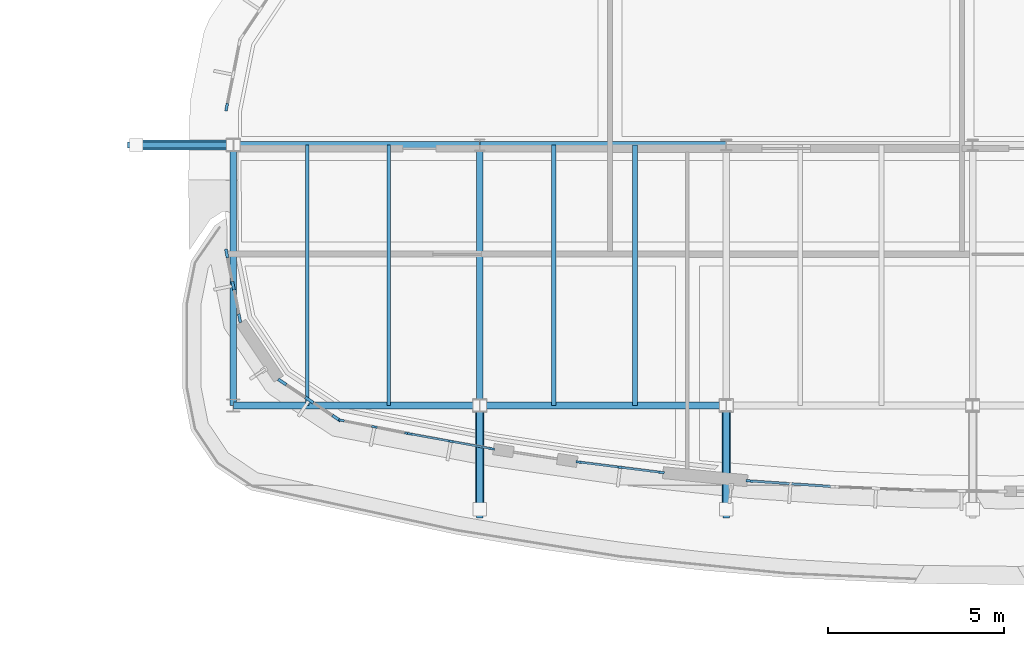
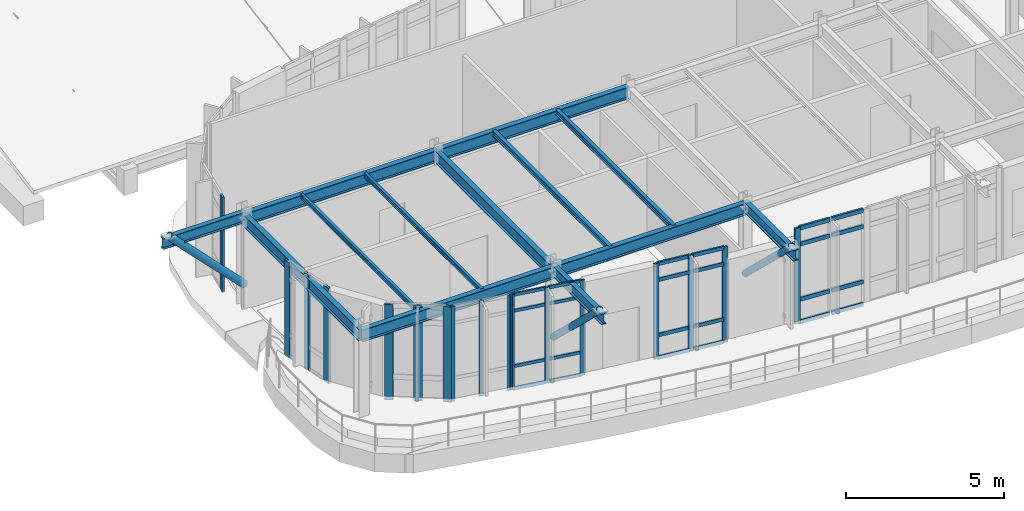
# One storey, part 29 of 105: 44 members, 13 beams, 7 elements without a shape of their own.
"""IFC4 building model written with IfcOpenShell, lengths in metres."""

from ifc_helpers import new_model, si_unit, direction, frame, origin, origin_2d, place, context, subcontext, project, spatial, rectangle, hollow_circle, i_section, extrude, material, material_profile, profile_set, type_object, element, aggregate, save


model = new_model("IFC4")

# Units and contexts
model_context = context("Model", 3, precision=1e-05, world=origin(), true_north=direction((0.0, 1.0)))
body_context = subcontext(model_context, "Body", "Model", "MODEL_VIEW")
ifc_project = project(units=[si_unit("LENGTHUNIT", "METRE"), si_unit("AREAUNIT", "SQUARE_METRE"), si_unit("VOLUMEUNIT", "CUBIC_METRE"), si_unit("PLANEANGLEUNIT", "RADIAN"), si_unit("MASSUNIT", "GRAM", prefix="KILO")], contexts=[model_context])

# Site, building, storey
site_placement = place(None, origin())
site = spatial("IfcSite", under=ifc_project, at=site_placement, CompositionType="ELEMENT")
building_placement = place(site_placement, origin())
building = spatial("IfcBuilding", under=site, at=building_placement, Name="Corveleigh Park Community Centre", CompositionType="ELEMENT")
storey_placement = place(building_placement, frame((0.0, 0.0, 8.699951171875)))
storey = spatial("IfcBuildingStorey", under=building, at=storey_placement, Name="L02", CompositionType="ELEMENT", Elevation=8.699951171875)

# Beams
ifc_material_1 = material(Name="Steel S355", Category="steel")
ifc_material_profile_1 = material_profile(ifc_material_1, i_section(OverallWidth=0.101318359375, OverallDepth=0.177734375, WebThickness=0.0048828125, FlangeThickness=0.0078125, at=origin_2d()), Name="UKB 178x102x19", Category="steel")
ifc_profile_set_1 = profile_set([ifc_material_profile_1], Name="Steel S355")
beam_type_1 = type_object("IfcBeamType", Name="BM-STL-UKB178x19", PredefinedType="JOIST", material=ifc_profile_set_1)
for number, where, z_axis, x_axis, name in (
    (1, (13.300048828125, 78.0048828125, 3.523193359375), (0.0, 1.0, 0.0), (-1.0, 0.0, 0.0), "Secondary floor joist"),
    (2, (15.610107421875, 78.0048828125, 3.523193359375), (0.0, 1.0, 0.0), (-1.0, 0.0, 0.0), "Secondary floor joist"),
):
    element("IfcBeam", number, at=place(storey_placement, frame(where, z_axis=z_axis, x_axis=x_axis)), inside=storey, type_object=beam_type_1, Name=name, PredefinedType="JOIST", context=body_context, shape_type="SweptSolid", body=[
        extrude(i_section(OverallWidth=0.101318359375, OverallDepth=0.177734375, WebThickness=0.0048828125, FlangeThickness=0.0078125, at=origin_2d()), origin(), (0.0, 0.0, 1.0), 7.39013671875),
    ])
ifc_material_profile_2 = material_profile(ifc_material_1, i_section(OverallWidth=0.13330078125, OverallDepth=0.203125, WebThickness=0.005615234375, FlangeThickness=0.0078125, at=origin_2d()), Name="UKB 203x133x25", Category="steel")
ifc_profile_set_2 = profile_set([ifc_material_profile_2], Name="Steel S355")
beam_type_2 = type_object("IfcBeamType", Name="BM-STL-UKB203x25", PredefinedType="JOIST", material=ifc_profile_set_2)
for number, where, z_axis, x_axis, name in (
    (3, (20.300048828125, 78.0048828125, 3.510498046875), (0.0, 1.0, 0.0), (-1.0, 0.0, 0.0), "Secondary floor joist"),
    (4, (22.610107421875, 78.0048828125, 3.510498046875), (0.0, 1.0, 0.0), (-1.0, 0.0, 0.0), "Secondary floor joist"),
):
    element("IfcBeam", number, at=place(storey_placement, frame(where, z_axis=z_axis, x_axis=x_axis)), inside=storey, type_object=beam_type_2, Name=name, PredefinedType="JOIST", context=body_context, shape_type="SweptSolid", body=[
        extrude(i_section(OverallWidth=0.13330078125, OverallDepth=0.203125, WebThickness=0.005615234375, FlangeThickness=0.0078125, at=origin_2d()), origin(), (0.0, 0.0, 1.0), 7.39013671875),
    ])
ifc_material_profile_3 = material_profile(ifc_material_1, i_section(OverallWidth=0.1787109375, OverallDepth=0.409423828125, WebThickness=0.0087890625, FlangeThickness=0.014404296875, at=origin_2d()), Name="UKB 406x178x67", Category="steel")
ifc_profile_set_3 = profile_set([ifc_material_profile_3], Name="Steel S355")
beam_type_3 = type_object("IfcBeamType", Name="BM-STL-UKB406x67", PredefinedType="BEAM", material=ifc_profile_set_3)
for number, where, z_axis, x_axis, name in (
    (5, (18.199951171875, 77.989990234375, 3.475341796875), (0.0, -1.0, 0.0), (1.0, 0.0, 0.0), "V2 South Pebble Overhang Strut 2 Outrigger"),
    (6, (25.199951171875, 77.989990234375, 3.475341796875), (0.0, -1.0, 0.0), (1.0, 0.0, 0.0), "V2 South Pebble Overhang Strut 3 Outrigger"),
):
    element("IfcBeam", number, at=place(storey_placement, frame(where, z_axis=z_axis, x_axis=x_axis)), inside=storey, type_object=beam_type_3, Name=name, PredefinedType="BEAM", context=body_context, shape_type="SweptSolid", body=[
        extrude(i_section(OverallWidth=0.1787109375, OverallDepth=0.409423828125, WebThickness=0.0087890625, FlangeThickness=0.014404296875, at=origin_2d()), origin(), (0.0, 0.0, 1.0), 3.18994140625),
    ])
beam_placement = place(storey_placement, frame((11.18994140625, 85.39990234375, 3.475341796875), z_axis=(-1.0, 0.0, 0.0), x_axis=(0.0, -1.0, 0.0)))
element("IfcBeam", 7, at=beam_placement, inside=storey, type_object=beam_type_3, Name="V2 West Pebble Overhang Strut 2 Outrigger", PredefinedType="BEAM", context=body_context, shape_type="SweptSolid", body=[
    extrude(i_section(OverallWidth=0.1787109375, OverallDepth=0.409423828125, WebThickness=0.0087890625, FlangeThickness=0.014404296875, at=origin_2d()), origin(), (0.0, 0.0, 1.0), 2.989990234375),
])
ifc_material_profile_4 = material_profile(ifc_material_1, i_section(OverallWidth=0.1904296875, OverallDepth=0.45703125, WebThickness=0.009033203125, FlangeThickness=0.014404296875, at=origin_2d()), Name="UKB 457x191x74", Category="steel")
ifc_profile_set_4 = profile_set([ifc_material_profile_4], Name="Steel S355")
beam_type_4 = type_object("IfcBeamType", Name="BM-STL-UKB457x74", PredefinedType="BEAM", material=ifc_profile_set_4)
for number, where, z_axis, x_axis, name in (
    (8, (11.199951171875, 78.0048828125, 3.383544921875), (0.0, 1.0, 0.0), (-1.0, 0.0, 0.0), "V2 Studio Girder Y"),
    (9, (18.199951171875, 78.0048828125, 3.383544921875), (0.0, 1.0, 0.0), (-1.0, 0.0, 0.0), "V2 Studio Girder Y"),
):
    element("IfcBeam", number, at=place(storey_placement, frame(where, z_axis=z_axis, x_axis=x_axis)), inside=storey, type_object=beam_type_4, Name=name, PredefinedType="BEAM", context=body_context, shape_type="SweptSolid", body=[
        extrude(i_section(OverallWidth=0.1904296875, OverallDepth=0.45703125, WebThickness=0.009033203125, FlangeThickness=0.014404296875, at=origin_2d()), origin(), (0.0, 0.0, 1.0), 7.39013671875),
    ])
ifc_material_profile_5 = material_profile(ifc_material_1, i_section(OverallWidth=0.19140625, OverallDepth=0.4599609375, WebThickness=0.010009765625, FlangeThickness=0.01611328125, at=origin_2d()), Name="UKB 457x191x82", Category="steel")
ifc_profile_set_5 = profile_set([ifc_material_profile_5], Name="Steel S355")
beam_type_5 = type_object("IfcBeamType", Name="BM-STL-UKB457x82", PredefinedType="BEAM", material=ifc_profile_set_5)
for number, where, z_axis, x_axis, name in (
    (10, (11.205078125, 78.0, 3.382080078125), (1.0, 0.0, 0.0), (0.0, 1.0, 0.0), "V2 Studio Girder X"),
    (11, (18.205078125, 78.0, 3.382080078125), (1.0, 0.0, 0.0), (0.0, 1.0, 0.0), "V2 Studio Girder X"),
    (12, (11.205078125, 85.39990234375, 3.382080078125), (1.0, 0.0, 0.0), (0.0, 1.0, 0.0), "V2 Studio Girder X"),
    (13, (18.205078125, 85.39990234375, 3.382080078125), (1.0, 0.0, 0.0), (0.0, 1.0, 0.0), "V2 Studio Girder X"),
):
    element("IfcBeam", number, at=place(storey_placement, frame(where, z_axis=z_axis, x_axis=x_axis)), inside=storey, type_object=beam_type_5, Name=name, PredefinedType="BEAM", context=body_context, shape_type="SweptSolid", body=[
        extrude(i_section(OverallWidth=0.19140625, OverallDepth=0.4599609375, WebThickness=0.010009765625, FlangeThickness=0.01611328125, at=origin_2d()), origin(), (0.0, 0.0, 1.0), 6.989990234375),
    ])

# Curtain wall, members
ifc_material_2 = material(Name="Anodised aluminium 6063-T6", Category="aluminium")
curtain_wall_type = type_object("IfcCurtainWallType", Name="CW-SYS-V2-HALL", PredefinedType="NOTDEFINED", material=ifc_material_2)
curtain_wall_1_placement = place(storey_placement, origin())
curtain_wall_1 = element("IfcCurtainWall", 14, at=curtain_wall_1_placement, inside=storey, type_object=curtain_wall_type, Name="V2 L02 Curtain Wall 301", PredefinedType="NOTDEFINED")
ifc_material_profile_6 = material_profile(ifc_material_2, rectangle(XDim=0.06005859375, YDim=0.159912109375, at=origin_2d()), Name="ALU-M60x160", Category="aluminium")
ifc_profile_set_6 = profile_set([ifc_material_profile_6], Name="Anodised aluminium 6063-T6")
member_type_1 = type_object("IfcMemberType", Name="CWM-60x160", PredefinedType="MULLION", material=ifc_profile_set_6)
member_1_placement = place(storey_placement, frame((18.53857421875, 76.7734375, 0.0), z_axis=(0.0, 0.0, 1.0), x_axis=(-0.178484557805, -0.983942713081, 0.0)))
member_1 = element("IfcMember", 15, at=member_1_placement, type_object=member_type_1, Name="CW04 mullion 1", PredefinedType="MULLION", context=body_context, shape_type="SweptSolid", body=[
    extrude(rectangle(XDim=0.06005859375, YDim=0.159912109375, at=origin_2d()), origin(), (0.0, 0.0, 1.0), 3.679931640625),
])
member_2_placement = place(storey_placement, frame((17.3798828125, 76.9833984375, 0.0), z_axis=(0.0, 0.0, 1.0), x_axis=(-0.178484557805, -0.983942713081, 0.0)))
member_2 = element("IfcMember", 16, at=member_2_placement, type_object=member_type_1, Name="CW04 mullion 2", PredefinedType="MULLION", context=body_context, shape_type="SweptSolid", body=[
    extrude(rectangle(XDim=0.06005859375, YDim=0.159912109375, at=origin_2d()), origin(), (0.0, 0.0, 1.0), 3.679931640625),
])
member_3_placement = place(storey_placement, frame((16.221435546875, 77.193603515625, 0.0), z_axis=(0.0, 0.0, 1.0), x_axis=(-0.178484557805, -0.983942713081, 0.0)))
member_3 = element("IfcMember", 17, at=member_3_placement, type_object=member_type_1, Name="CW04 mullion 3", PredefinedType="MULLION", context=body_context, shape_type="SweptSolid", body=[
    extrude(rectangle(XDim=0.06005859375, YDim=0.159912109375, at=origin_2d()), origin(), (0.0, 0.0, 1.0), 3.679931640625),
])

curtain_wall_2_placement = place(storey_placement, origin())
curtain_wall_2 = element("IfcCurtainWall", 18, at=curtain_wall_2_placement, inside=storey, type_object=curtain_wall_type, Name="V2 L02 Curtain Wall 331", PredefinedType="NOTDEFINED")
member_4_placement = place(storey_placement, frame((16.146484375, 77.207763671875, 0.0), z_axis=(0.0, 0.0, 1.0), x_axis=(-0.194944453986, -0.980814284082, 0.0)))
member_4 = element("IfcMember", 19, at=member_4_placement, type_object=member_type_1, Name="CW04 mullion 1", PredefinedType="MULLION", context=body_context, shape_type="SweptSolid", body=[
    extrude(rectangle(XDim=0.06005859375, YDim=0.159912109375, at=origin_2d()), origin(), (0.0, 0.0, 1.0), 3.679931640625),
])
member_5_placement = place(storey_placement, frame((15.2099609375, 77.39404296875, 0.0), z_axis=(0.0, 0.0, 1.0), x_axis=(-0.194944453986, -0.980814284082, 0.0)))
member_5 = element("IfcMember", 20, at=member_5_placement, type_object=member_type_1, Name="CW04 mullion 2", PredefinedType="MULLION", context=body_context, shape_type="SweptSolid", body=[
    extrude(rectangle(XDim=0.06005859375, YDim=0.159912109375, at=origin_2d()), origin(), (0.0, 0.0, 1.0), 3.679931640625),
])
member_6_placement = place(storey_placement, frame((14.2734375, 77.580078125, 0.0), z_axis=(0.0, 0.0, 1.0), x_axis=(-0.194944453986, -0.980814284082, 0.0)))
member_6 = element("IfcMember", 21, at=member_6_placement, type_object=member_type_1, Name="CW04 mullion 3", PredefinedType="MULLION", context=body_context, shape_type="SweptSolid", body=[
    extrude(rectangle(XDim=0.06005859375, YDim=0.159912109375, at=origin_2d()), origin(), (0.0, 0.0, 1.0), 3.679931640625),
])
aggregate(curtain_wall_2, [member_4, member_5, member_6])

curtain_wall_3_placement = place(storey_placement, origin())
curtain_wall_3 = element("IfcCurtainWall", 22, at=curtain_wall_3_placement, inside=storey, type_object=curtain_wall_type, Name="V2 L02 Curtain Wall 302", PredefinedType="NOTDEFINED")
ifc_material_profile_7 = material_profile(ifc_material_2, rectangle(XDim=0.06494140625, YDim=0.179931640625, at=origin_2d()), Name="ALU-M65x180", Category="aluminium")
ifc_profile_set_7 = profile_set([ifc_material_profile_7], Name="Anodised aluminium 6063-T6")
member_type_2 = type_object("IfcMemberType", Name="CWM-65x180", PredefinedType="MULLION", material=ifc_profile_set_7)
member_7_placement = place(storey_placement, frame((23.351806640625, 76.10107421875, 0.0), z_axis=(0.0, 0.0, 1.0), x_axis=(-0.124289683694, -0.99224597481, 0.0)))
member_7 = element("IfcMember", 23, at=member_7_placement, type_object=member_type_2, Name="CW04 mullion 1", PredefinedType="MULLION", context=body_context, shape_type="SweptSolid", body=[
    extrude(rectangle(XDim=0.06494140625, YDim=0.179931640625, at=origin_2d()), origin(), (0.0, 0.0, 1.0), 3.679931640625),
])
member_8_placement = place(storey_placement, frame((22.1865234375, 76.2470703125, 0.0), z_axis=(0.0, 0.0, 1.0), x_axis=(-0.124289683694, -0.99224597481, 0.0)))
member_8 = element("IfcMember", 24, at=member_8_placement, type_object=member_type_2, Name="CW04 mullion 2", PredefinedType="MULLION", context=body_context, shape_type="SweptSolid", body=[
    extrude(rectangle(XDim=0.06494140625, YDim=0.179931640625, at=origin_2d()), origin(), (0.0, 0.0, 1.0), 3.679931640625),
])
member_9_placement = place(storey_placement, frame((21.021240234375, 76.39306640625, 0.0), z_axis=(0.0, 0.0, 1.0), x_axis=(-0.124289683694, -0.99224597481, 0.0)))
member_9 = element("IfcMember", 25, at=member_9_placement, type_object=member_type_2, Name="CW04 mullion 3", PredefinedType="MULLION", context=body_context, shape_type="SweptSolid", body=[
    extrude(rectangle(XDim=0.06494140625, YDim=0.179931640625, at=origin_2d()), origin(), (0.0, 0.0, 1.0), 3.679931640625),
])

# Curtain wall, member
curtain_wall_4_placement = place(storey_placement, origin())
curtain_wall_4 = element("IfcCurtainWall", 26, at=curtain_wall_4_placement, inside=storey, type_object=curtain_wall_type, Name="V2 L02 Curtain Wall 303", PredefinedType="NOTDEFINED")
ifc_material_profile_8 = material_profile(ifc_material_2, rectangle(XDim=0.070068359375, YDim=0.199951171875, at=origin_2d()), Name="ALU-M70x200", Category="aluminium")
ifc_profile_set_8 = profile_set([ifc_material_profile_8], Name="Anodised aluminium 6063-T6")
member_type_3 = type_object("IfcMemberType", Name="CWM-70x200", PredefinedType="MULLION", material=ifc_profile_set_8)
member_10_placement = place(storey_placement, frame((25.85693359375, 75.858642578125, 0.0), z_axis=(0.0, 0.0, 1.0), x_axis=(-0.068773654486, -0.997632289197, 0.0)))
member_10 = element("IfcMember", 27, at=member_10_placement, type_object=member_type_3, Name="CW04 mullion 3", PredefinedType="MULLION", context=body_context, shape_type="SweptSolid", body=[
    extrude(rectangle(XDim=0.070068359375, YDim=0.199951171875, at=origin_2d()), origin(), (0.0, 0.0, 1.0), 3.679931640625),
])

curtain_wall_5_placement = place(storey_placement, origin())
curtain_wall_5 = element("IfcCurtainWall", 28, at=curtain_wall_5_placement, inside=storey, type_object=curtain_wall_type, Name="V2 L02 Curtain Wall 328", PredefinedType="NOTDEFINED")
ifc_material_profile_9 = material_profile(ifc_material_2, rectangle(XDim=0.074951171875, YDim=0.219970703125, at=origin_2d()), Name="ALU-M75x220", Category="aluminium")
ifc_profile_set_9 = profile_set([ifc_material_profile_9], Name="Anodised aluminium 6063-T6")
member_type_4 = type_object("IfcMemberType", Name="CWM-75x220", PredefinedType="MULLION", material=ifc_profile_set_9)
member_11_placement = place(storey_placement, frame((11.01220703125, 86.476806640625, 0.0), z_axis=(0.0, 0.0, 1.0), x_axis=(-0.980796650035, 0.195033154312, 0.0)))
member_11 = element("IfcMember", 29, at=member_11_placement, type_object=member_type_4, Name="CW04 mullion 1", PredefinedType="MULLION", context=body_context, shape_type="SweptSolid", body=[
    extrude(rectangle(XDim=0.074951171875, YDim=0.219970703125, at=origin_2d()), origin(), (0.0, 0.0, 1.0), 3.679931640625),
])
aggregate(curtain_wall_5, [member_11])

# Curtain wall, members
curtain_wall_6_placement = place(storey_placement, origin())
curtain_wall_6 = element("IfcCurtainWall", 30, at=curtain_wall_6_placement, inside=storey, type_object=curtain_wall_type, Name="V2 L02 Curtain Wall 329", PredefinedType="NOTDEFINED")
ifc_material_profile_10 = material_profile(ifc_material_2, rectangle(XDim=0.080078125, YDim=0.25, at=origin_2d()), Name="ALU-M80x250", Category="aluminium")
ifc_profile_set_10 = profile_set([ifc_material_profile_10], Name="Anodised aluminium 6063-T6")
member_type_5 = type_object("IfcMemberType", Name="CWM-80x250", PredefinedType="MULLION", material=ifc_profile_set_10)
member_12_placement = place(storey_placement, frame((11.378173828125, 80.483154296875, 0.0), z_axis=(0.0, 0.0, 1.0), x_axis=(-0.980796650035, -0.195033154312, 0.0)))
member_12 = element("IfcMember", 31, at=member_12_placement, type_object=member_type_5, Name="CW04 mullion 1", PredefinedType="MULLION", context=body_context, shape_type="SweptSolid", body=[
    extrude(rectangle(XDim=0.080078125, YDim=0.25, at=origin_2d()), origin(), (0.0, 0.0, 1.0), 3.679931640625),
])
member_13_placement = place(storey_placement, frame((11.195556640625, 81.402099609375, 0.0), z_axis=(0.0, 0.0, 1.0), x_axis=(-0.980796650035, -0.195033154312, 0.0)))
member_13 = element("IfcMember", 32, at=member_13_placement, type_object=member_type_5, Name="CW04 mullion 2", PredefinedType="MULLION", context=body_context, shape_type="SweptSolid", body=[
    extrude(rectangle(XDim=0.080078125, YDim=0.25, at=origin_2d()), origin(), (0.0, 0.0, 1.0), 3.679931640625),
])
member_14_placement = place(storey_placement, frame((11.0126953125, 82.32080078125, 0.0), z_axis=(0.0, 0.0, 1.0), x_axis=(-0.980796650035, -0.195033154312, 0.0)))
member_14 = element("IfcMember", 33, at=member_14_placement, type_object=member_type_5, Name="CW04 mullion 3", PredefinedType="MULLION", context=body_context, shape_type="SweptSolid", body=[
    extrude(rectangle(XDim=0.080078125, YDim=0.25, at=origin_2d()), origin(), (0.0, 0.0, 1.0), 3.679931640625),
])
aggregate(curtain_wall_6, [member_12, member_13, member_14])

curtain_wall_7_placement = place(storey_placement, origin())
curtain_wall_7 = element("IfcCurtainWall", 34, at=curtain_wall_7_placement, inside=storey, type_object=curtain_wall_type, Name="V2 L02 Curtain Wall 330", PredefinedType="NOTDEFINED")
ifc_material_profile_11 = material_profile(ifc_material_2, rectangle(XDim=0.0849609375, YDim=0.27490234375, at=origin_2d()), Name="ALU-M85x275", Category="aluminium")
ifc_profile_set_11 = profile_set([ifc_material_profile_11], Name="Anodised aluminium 6063-T6")
member_type_6 = type_object("IfcMemberType", Name="CWM-85x275", PredefinedType="MULLION", material=ifc_profile_set_11)
member_15_placement = place(storey_placement, frame((14.127685546875, 77.6435546875, 0.0), z_axis=(0.0, 0.0, 1.0), x_axis=(-0.555058272633, -0.831811465407, 0.0)))
member_15 = element("IfcMember", 35, at=member_15_placement, type_object=member_type_6, Name="CW04 mullion 1", PredefinedType="MULLION", context=body_context, shape_type="SweptSolid", body=[
    extrude(rectangle(XDim=0.0849609375, YDim=0.27490234375, at=origin_2d()), origin(), (0.0, 0.0, 1.0), 3.679931640625),
])
member_16_placement = place(storey_placement, frame((13.35888671875, 78.156494140625, 0.0), z_axis=(0.0, 0.0, 1.0), x_axis=(-0.555058272633, -0.831811465407, 0.0)))
member_16 = element("IfcMember", 36, at=member_16_placement, type_object=member_type_6, Name="CW04 mullion 2", PredefinedType="MULLION", context=body_context, shape_type="SweptSolid", body=[
    extrude(rectangle(XDim=0.0849609375, YDim=0.27490234375, at=origin_2d()), origin(), (0.0, 0.0, 1.0), 3.679931640625),
])
member_17_placement = place(storey_placement, frame((12.59033203125, 78.66943359375, 0.0), z_axis=(0.0, 0.0, 1.0), x_axis=(-0.555058272633, -0.831811465407, 0.0)))
member_17 = element("IfcMember", 37, at=member_17_placement, type_object=member_type_6, Name="CW04 mullion 3", PredefinedType="MULLION", context=body_context, shape_type="SweptSolid", body=[
    extrude(rectangle(XDim=0.0849609375, YDim=0.27490234375, at=origin_2d()), origin(), (0.0, 0.0, 1.0), 3.679931640625),
])
aggregate(curtain_wall_7, [member_15, member_16, member_17])

# Member
ifc_material_profile_12 = material_profile(ifc_material_2, rectangle(XDim=0.06005859375, YDim=0.1201171875, at=origin_2d()), Name="ALU-T60x120", Category="aluminium")
ifc_profile_set_12 = profile_set([ifc_material_profile_12], Name="Anodised aluminium 6063-T6")
member_type_7 = type_object("IfcMemberType", Name="CWT-60x120", PredefinedType="USERDEFINED", material=ifc_profile_set_12)
member_18_placement = place(storey_placement, frame((18.509033203125, 76.77880859375, 0.030029296875), z_axis=(-0.983981573567, 0.178270196277, 0.0), x_axis=(-0.178270196277, -0.983981573567, 0.0)))
member_18 = element("IfcMember", 38, at=member_18_placement, type_object=member_type_7, Name="CW04 transom 1.1", ObjectType="TRANSOM", PredefinedType="USERDEFINED", context=body_context, shape_type="SweptSolid", body=[
    extrude(rectangle(XDim=0.06005859375, YDim=0.1201171875, at=origin_2d()), origin(), (0.0, 0.0, 1.0), 1.117431640625),
])

member_19_placement = place(storey_placement, frame((18.509033203125, 76.77880859375, 0.900146484375), z_axis=(-0.983981573567, 0.178270196277, 0.0), x_axis=(-0.178270196277, -0.983981573567, 0.0)))
member_19 = element("IfcMember", 39, at=member_19_placement, type_object=member_type_7, Name="CW04 transom 1.2", ObjectType="TRANSOM", PredefinedType="USERDEFINED", context=body_context, shape_type="SweptSolid", body=[
    extrude(rectangle(XDim=0.06005859375, YDim=0.1201171875, at=origin_2d()), origin(), (0.0, 0.0, 1.0), 1.117431640625),
])

member_20_placement = place(storey_placement, frame((18.509033203125, 76.77880859375, 3.030029296875), z_axis=(-0.983981573567, 0.178270196277, 0.0), x_axis=(-0.178270196277, -0.983981573567, 0.0)))
member_20 = element("IfcMember", 40, at=member_20_placement, type_object=member_type_7, Name="CW04 transom 1.3", ObjectType="TRANSOM", PredefinedType="USERDEFINED", context=body_context, shape_type="SweptSolid", body=[
    extrude(rectangle(XDim=0.06005859375, YDim=0.1201171875, at=origin_2d()), origin(), (0.0, 0.0, 1.0), 1.117431640625),
])

member_21_placement = place(storey_placement, frame((18.509033203125, 76.77880859375, 3.650146484375), z_axis=(-0.983981573567, 0.178270196277, 0.0), x_axis=(-0.178270196277, -0.983981573567, 0.0)))
member_21 = element("IfcMember", 41, at=member_21_placement, type_object=member_type_7, Name="CW04 transom 1.4", ObjectType="TRANSOM", PredefinedType="USERDEFINED", context=body_context, shape_type="SweptSolid", body=[
    extrude(rectangle(XDim=0.06005859375, YDim=0.1201171875, at=origin_2d()), origin(), (0.0, 0.0, 1.0), 1.117431640625),
])

member_22_placement = place(storey_placement, frame((17.3505859375, 76.98876953125, 0.030029296875), z_axis=(-0.983943229786, 0.178481709311, 0.0), x_axis=(-0.178481709311, -0.983943229786, 0.0)))
member_22 = element("IfcMember", 42, at=member_22_placement, type_object=member_type_7, Name="CW04 transom 2.1", ObjectType="TRANSOM", PredefinedType="USERDEFINED", context=body_context, shape_type="SweptSolid", body=[
    extrude(rectangle(XDim=0.06005859375, YDim=0.1201171875, at=origin_2d()), origin(), (0.0, 0.0, 1.0), 1.117431640625),
])

member_23_placement = place(storey_placement, frame((17.3505859375, 76.98876953125, 0.900146484375), z_axis=(-0.983943229786, 0.178481709311, 0.0), x_axis=(-0.178481709311, -0.983943229786, 0.0)))
member_23 = element("IfcMember", 43, at=member_23_placement, type_object=member_type_7, Name="CW04 transom 2.2", ObjectType="TRANSOM", PredefinedType="USERDEFINED", context=body_context, shape_type="SweptSolid", body=[
    extrude(rectangle(XDim=0.06005859375, YDim=0.1201171875, at=origin_2d()), origin(), (0.0, 0.0, 1.0), 1.117431640625),
])

member_24_placement = place(storey_placement, frame((17.3505859375, 76.98876953125, 3.030029296875), z_axis=(-0.983943229786, 0.178481709311, 0.0), x_axis=(-0.178481709311, -0.983943229786, 0.0)))
member_24 = element("IfcMember", 44, at=member_24_placement, type_object=member_type_7, Name="CW04 transom 2.3", ObjectType="TRANSOM", PredefinedType="USERDEFINED", context=body_context, shape_type="SweptSolid", body=[
    extrude(rectangle(XDim=0.06005859375, YDim=0.1201171875, at=origin_2d()), origin(), (0.0, 0.0, 1.0), 1.117431640625),
])

member_25_placement = place(storey_placement, frame((17.3505859375, 76.98876953125, 3.650146484375), z_axis=(-0.983943229786, 0.178481709311, 0.0), x_axis=(-0.178481709311, -0.983943229786, 0.0)))
member_25 = element("IfcMember", 45, at=member_25_placement, type_object=member_type_7, Name="CW04 transom 2.4", ObjectType="TRANSOM", PredefinedType="USERDEFINED", context=body_context, shape_type="SweptSolid", body=[
    extrude(rectangle(XDim=0.06005859375, YDim=0.1201171875, at=origin_2d()), origin(), (0.0, 0.0, 1.0), 1.117431640625),
])

aggregate(curtain_wall_1, [member_1, member_2, member_3, member_18, member_19, member_20, member_21, member_22, member_23, member_24, member_25])

ifc_material_profile_13 = material_profile(ifc_material_2, rectangle(XDim=0.06494140625, YDim=0.139892578125, at=origin_2d()), Name="ALU-T65x140", Category="aluminium")
ifc_profile_set_13 = profile_set([ifc_material_profile_13], Name="Anodised aluminium 6063-T6")
member_type_8 = type_object("IfcMemberType", Name="CWT-65x140", PredefinedType="USERDEFINED", material=ifc_profile_set_13)
member_26_placement = place(storey_placement, frame((23.319580078125, 76.10498046875, 0.032470703125), z_axis=(-0.992240591439, 0.124332653396, 0.0), x_axis=(-0.124332653396, -0.992240591439, 0.0)))
member_26 = element("IfcMember", 46, at=member_26_placement, type_object=member_type_8, Name="CW04 transom 1.1", ObjectType="TRANSOM", PredefinedType="USERDEFINED", context=body_context, shape_type="SweptSolid", body=[
    extrude(rectangle(XDim=0.06494140625, YDim=0.139892578125, at=origin_2d()), origin(), (0.0, 0.0, 1.0), 1.109375),
])

member_27_placement = place(storey_placement, frame((23.319580078125, 76.10498046875, 0.900146484375), z_axis=(-0.992240591439, 0.124332653396, 0.0), x_axis=(-0.124332653396, -0.992240591439, 0.0)))
member_27 = element("IfcMember", 47, at=member_27_placement, type_object=member_type_8, Name="CW04 transom 1.2", ObjectType="TRANSOM", PredefinedType="USERDEFINED", context=body_context, shape_type="SweptSolid", body=[
    extrude(rectangle(XDim=0.06494140625, YDim=0.139892578125, at=origin_2d()), origin(), (0.0, 0.0, 1.0), 1.109375),
])

member_28_placement = place(storey_placement, frame((23.319580078125, 76.10498046875, 3.030029296875), z_axis=(-0.992240591439, 0.124332653396, 0.0), x_axis=(-0.124332653396, -0.992240591439, 0.0)))
member_28 = element("IfcMember", 48, at=member_28_placement, type_object=member_type_8, Name="CW04 transom 1.3", ObjectType="TRANSOM", PredefinedType="USERDEFINED", context=body_context, shape_type="SweptSolid", body=[
    extrude(rectangle(XDim=0.06494140625, YDim=0.139892578125, at=origin_2d()), origin(), (0.0, 0.0, 1.0), 1.109375),
])

member_29_placement = place(storey_placement, frame((23.319580078125, 76.10498046875, 3.6474609375), z_axis=(-0.992240591439, 0.124332653396, 0.0), x_axis=(-0.124332653396, -0.992240591439, 0.0)))
member_29 = element("IfcMember", 49, at=member_29_placement, type_object=member_type_8, Name="CW04 transom 1.4", ObjectType="TRANSOM", PredefinedType="USERDEFINED", context=body_context, shape_type="SweptSolid", body=[
    extrude(rectangle(XDim=0.06494140625, YDim=0.139892578125, at=origin_2d()), origin(), (0.0, 0.0, 1.0), 1.109375),
])

member_30_placement = place(storey_placement, frame((22.154296875, 76.2509765625, 0.032470703125), z_axis=(-0.992240591439, 0.124332653396, 0.0), x_axis=(-0.124332653396, -0.992240591439, 0.0)))
member_30 = element("IfcMember", 50, at=member_30_placement, type_object=member_type_8, Name="CW04 transom 2.1", ObjectType="TRANSOM", PredefinedType="USERDEFINED", context=body_context, shape_type="SweptSolid", body=[
    extrude(rectangle(XDim=0.06494140625, YDim=0.139892578125, at=origin_2d()), origin(), (0.0, 0.0, 1.0), 1.109375),
])

member_31_placement = place(storey_placement, frame((22.154296875, 76.2509765625, 0.900146484375), z_axis=(-0.992240591439, 0.124332653396, 0.0), x_axis=(-0.124332653396, -0.992240591439, 0.0)))
member_31 = element("IfcMember", 51, at=member_31_placement, type_object=member_type_8, Name="CW04 transom 2.2", ObjectType="TRANSOM", PredefinedType="USERDEFINED", context=body_context, shape_type="SweptSolid", body=[
    extrude(rectangle(XDim=0.06494140625, YDim=0.139892578125, at=origin_2d()), origin(), (0.0, 0.0, 1.0), 1.109375),
])

member_32_placement = place(storey_placement, frame((22.154296875, 76.2509765625, 3.030029296875), z_axis=(-0.992240591439, 0.124332653396, 0.0), x_axis=(-0.124332653396, -0.992240591439, 0.0)))
member_32 = element("IfcMember", 52, at=member_32_placement, type_object=member_type_8, Name="CW04 transom 2.3", ObjectType="TRANSOM", PredefinedType="USERDEFINED", context=body_context, shape_type="SweptSolid", body=[
    extrude(rectangle(XDim=0.06494140625, YDim=0.139892578125, at=origin_2d()), origin(), (0.0, 0.0, 1.0), 1.109375),
])

member_33_placement = place(storey_placement, frame((22.154296875, 76.2509765625, 3.6474609375), z_axis=(-0.992240591439, 0.124332653396, 0.0), x_axis=(-0.124332653396, -0.992240591439, 0.0)))
member_33 = element("IfcMember", 53, at=member_33_placement, type_object=member_type_8, Name="CW04 transom 2.4", ObjectType="TRANSOM", PredefinedType="USERDEFINED", context=body_context, shape_type="SweptSolid", body=[
    extrude(rectangle(XDim=0.06494140625, YDim=0.139892578125, at=origin_2d()), origin(), (0.0, 0.0, 1.0), 1.109375),
])

aggregate(curtain_wall_3, [member_7, member_8, member_9, member_26, member_27, member_28, member_29, member_30, member_31, member_32, member_33])

ifc_material_profile_14 = material_profile(ifc_material_2, rectangle(XDim=0.070068359375, YDim=0.155029296875, at=origin_2d()), Name="ALU-T70x155", Category="aluminium")
ifc_profile_set_14 = profile_set([ifc_material_profile_14], Name="Anodised aluminium 6063-T6")
member_type_9 = type_object("IfcMemberType", Name="CWT-70x155", PredefinedType="USERDEFINED", material=ifc_profile_set_14)
member_34_placement = place(storey_placement, frame((28.16015625, 75.69970703125, 0.03515625), z_axis=(-0.997622454609, 0.0689161669, 0.0), x_axis=(-0.0689161669, -0.997622454609, 0.0)))
member_34 = element("IfcMember", 54, at=member_34_placement, type_object=member_type_9, Name="CW04 transom 1.1", ObjectType="TRANSOM", PredefinedType="USERDEFINED", context=body_context, shape_type="SweptSolid", body=[
    extrude(rectangle(XDim=0.070068359375, YDim=0.155029296875, at=origin_2d()), origin(), (0.0, 0.0, 1.0), 1.101806640625),
])

member_35_placement = place(storey_placement, frame((28.16015625, 75.69970703125, 0.900146484375), z_axis=(-0.997622454609, 0.0689161669, 0.0), x_axis=(-0.0689161669, -0.997622454609, 0.0)))
member_35 = element("IfcMember", 55, at=member_35_placement, type_object=member_type_9, Name="CW04 transom 1.2", ObjectType="TRANSOM", PredefinedType="USERDEFINED", context=body_context, shape_type="SweptSolid", body=[
    extrude(rectangle(XDim=0.070068359375, YDim=0.155029296875, at=origin_2d()), origin(), (0.0, 0.0, 1.0), 1.101806640625),
])

member_36_placement = place(storey_placement, frame((28.16015625, 75.69970703125, 3.030029296875), z_axis=(-0.997622454609, 0.0689161669, 0.0), x_axis=(-0.0689161669, -0.997622454609, 0.0)))
member_36 = element("IfcMember", 56, at=member_36_placement, type_object=member_type_9, Name="CW04 transom 1.3", ObjectType="TRANSOM", PredefinedType="USERDEFINED", context=body_context, shape_type="SweptSolid", body=[
    extrude(rectangle(XDim=0.070068359375, YDim=0.155029296875, at=origin_2d()), origin(), (0.0, 0.0, 1.0), 1.101806640625),
])

member_37_placement = place(storey_placement, frame((28.16015625, 75.69970703125, 3.64501953125), z_axis=(-0.997622454609, 0.0689161669, 0.0), x_axis=(-0.0689161669, -0.997622454609, 0.0)))
member_37 = element("IfcMember", 57, at=member_37_placement, type_object=member_type_9, Name="CW04 transom 1.4", ObjectType="TRANSOM", PredefinedType="USERDEFINED", context=body_context, shape_type="SweptSolid", body=[
    extrude(rectangle(XDim=0.070068359375, YDim=0.155029296875, at=origin_2d()), origin(), (0.0, 0.0, 1.0), 1.101806640625),
])

member_38_placement = place(storey_placement, frame((26.990966796875, 75.780517578125, 0.03515625), z_axis=(-0.997637665659, 0.068695618915, 0.0), x_axis=(-0.068695618915, -0.997637665659, 0.0)))
member_38 = element("IfcMember", 58, at=member_38_placement, type_object=member_type_9, Name="CW04 transom 2.1", ObjectType="TRANSOM", PredefinedType="USERDEFINED", context=body_context, shape_type="SweptSolid", body=[
    extrude(rectangle(XDim=0.070068359375, YDim=0.155029296875, at=origin_2d()), origin(), (0.0, 0.0, 1.0), 1.101806640625),
])

member_39_placement = place(storey_placement, frame((26.990966796875, 75.780517578125, 0.900146484375), z_axis=(-0.997637665659, 0.068695618915, 0.0), x_axis=(-0.068695618915, -0.997637665659, 0.0)))
member_39 = element("IfcMember", 59, at=member_39_placement, type_object=member_type_9, Name="CW04 transom 2.2", ObjectType="TRANSOM", PredefinedType="USERDEFINED", context=body_context, shape_type="SweptSolid", body=[
    extrude(rectangle(XDim=0.070068359375, YDim=0.155029296875, at=origin_2d()), origin(), (0.0, 0.0, 1.0), 1.101806640625),
])

member_40_placement = place(storey_placement, frame((26.990966796875, 75.780517578125, 3.030029296875), z_axis=(-0.997637665659, 0.068695618915, 0.0), x_axis=(-0.068695618915, -0.997637665659, 0.0)))
member_40 = element("IfcMember", 60, at=member_40_placement, type_object=member_type_9, Name="CW04 transom 2.3", ObjectType="TRANSOM", PredefinedType="USERDEFINED", context=body_context, shape_type="SweptSolid", body=[
    extrude(rectangle(XDim=0.070068359375, YDim=0.155029296875, at=origin_2d()), origin(), (0.0, 0.0, 1.0), 1.101806640625),
])

member_41_placement = place(storey_placement, frame((26.990966796875, 75.780517578125, 3.64501953125), z_axis=(-0.997637665659, 0.068695618915, 0.0), x_axis=(-0.068695618915, -0.997637665659, 0.0)))
member_41 = element("IfcMember", 61, at=member_41_placement, type_object=member_type_9, Name="CW04 transom 2.4", ObjectType="TRANSOM", PredefinedType="USERDEFINED", context=body_context, shape_type="SweptSolid", body=[
    extrude(rectangle(XDim=0.070068359375, YDim=0.155029296875, at=origin_2d()), origin(), (0.0, 0.0, 1.0), 1.101806640625),
])

aggregate(curtain_wall_4, [member_10, member_34, member_35, member_36, member_37, member_38, member_39, member_40, member_41])

# Members
ifc_material_profile_15 = material_profile(ifc_material_1, hollow_circle(Radius=0.122314453125, WallThickness=0.012451171875, at=origin_2d()), Name="CHS 244.5x12.5", Category="steel")
ifc_profile_set_15 = profile_set([ifc_material_profile_15], Name="Steel S355")
member_type_10 = type_object("IfcMemberType", Name="MEM-STR-CHS245", PredefinedType="STRUT", material=ifc_profile_set_15)
for number, where, z_axis, x_axis, name in (
    (62, (18.199951171875, 78.0, 0.85009765625), (0.0, -0.721795069171, 0.692106840105), (1.0, 0.0, 0.0), "V2 South Pebble Overhang Strut 2"),
    (63, (25.199951171875, 78.0, 0.85009765625), (0.0, -0.721795069171, 0.692106840105), (1.0, 0.0, 0.0), "V2 South Pebble Overhang Strut 3"),
):
    element("IfcMember", number, at=place(storey_placement, frame(where, z_axis=z_axis, x_axis=x_axis)), inside=storey, type_object=member_type_10, Name=name, PredefinedType="STRUT", context=body_context, shape_type="SweptSolid", body=[
        extrude(hollow_circle(Radius=0.122314453125, WallThickness=0.012451171875, at=origin_2d()), origin(), (0.0, 0.0, 1.0), 4.078857421875),
    ])
ifc_material_profile_16 = material_profile(ifc_material_1, hollow_circle(Radius=0.136474609375, WallThickness=0.012451171875, at=origin_2d()), Name="CHS 273.0x12.5", Category="steel")
ifc_profile_set_16 = profile_set([ifc_material_profile_16], Name="Steel S355")
member_type_11 = type_object("IfcMemberType", Name="MEM-STR-CHS273E", PredefinedType="STRUT", material=ifc_profile_set_16)
member_42_placement = place(storey_placement, frame((11.199951171875, 85.39990234375, 0.85009765625), z_axis=(-0.699084612118, 0.0, 0.715038953554), x_axis=(0.0, -1.0, 0.0)))
element("IfcMember", 64, at=member_42_placement, inside=storey, type_object=member_type_11, Name="V2 West Pebble Overhang Strut 2", PredefinedType="STRUT", context=body_context, shape_type="SweptSolid", body=[
    extrude(hollow_circle(Radius=0.136474609375, WallThickness=0.012451171875, at=origin_2d()), origin(), (0.0, 0.0, 1.0), 3.947998046875),
])

save(model, "model.ifc")
